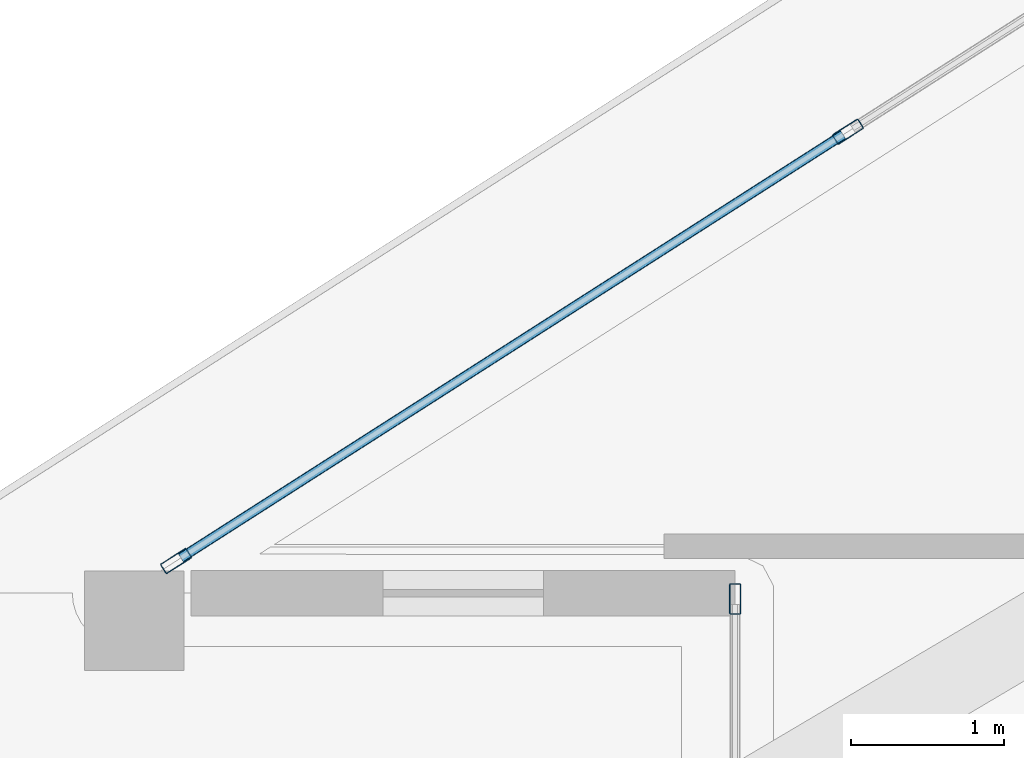
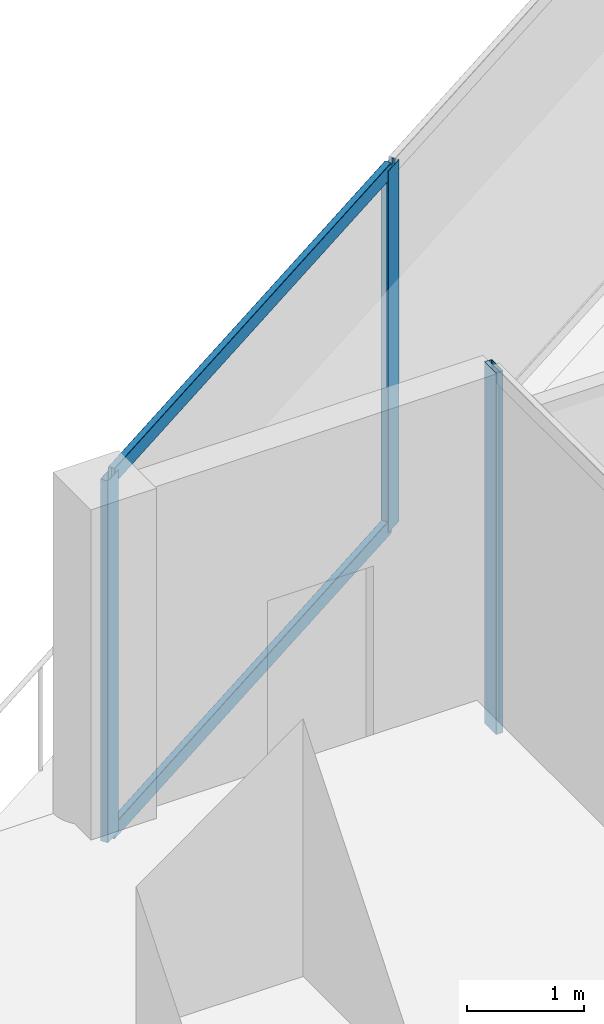
# One storey, part 15 of 36: 5 members, 2 elements without a shape of their own.
"""IFC4 building model written with IfcOpenShell, lengths in metres."""

from ifc_helpers import new_model, si_unit, direction, frame, origin, origin_2d, place, context, subcontext, project, spatial, hollow_rectangle, extrude, material, layer, layer_set, material_profile, profile_set, type_object, element, aggregate, save


model = new_model("IFC4")

# Units and contexts
model_context = context("Model", 3, precision=1e-05, world=origin(), true_north=direction((0.0, 1.0)))
body_context = subcontext(model_context, "Body", "Model", "MODEL_VIEW")
ifc_project = project(units=[si_unit("LENGTHUNIT", "METRE"), si_unit("AREAUNIT", "SQUARE_METRE"), si_unit("VOLUMEUNIT", "CUBIC_METRE"), si_unit("PLANEANGLEUNIT", "RADIAN"), si_unit("MASSUNIT", "GRAM", prefix="KILO")], contexts=[model_context])

# Site, building, storey
site_placement = place(None, origin())
site = spatial("IfcSite", under=ifc_project, at=site_placement, CompositionType="ELEMENT")
building_placement = place(site_placement, origin())
building = spatial("IfcBuilding", under=site, at=building_placement, Name="Qorvath Tower", CompositionType="ELEMENT")
storey_placement = place(building_placement, frame((0.0, 0.0, 229.35009765625)))
storey = spatial("IfcBuildingStorey", under=building, at=storey_placement, Name="L53", CompositionType="ELEMENT", Elevation=229.35009765625)

# Curtain wall, member
ifc_material_1 = material(Name="Anodised aluminium and triple low-E glass", Category="aluminium")
ifc_layer = layer(ifc_material_1, 0.179931640625)
ifc_layer_set = layer_set([ifc_layer], Name="CW-SYS-5")
curtain_wall_type = type_object("IfcCurtainWallType", Name="CW-SYS-5", PredefinedType="NOTDEFINED", material=ifc_layer_set)
curtain_wall_1_placement = place(storey_placement, origin())
curtain_wall_1 = element("IfcCurtainWall", 1, at=curtain_wall_1_placement, inside=storey, type_object=curtain_wall_type, Name="Curtain Wall CW-5 CW-T-L53-2.1", PredefinedType="NOTDEFINED")
ifc_material_2 = material(Name="Anodised aluminium 6063-T6", Category="aluminium")
ifc_material_profile_1 = material_profile(ifc_material_2, hollow_rectangle(XDim=0.074951171875, YDim=0.199951171875, WallThickness=0.00390625, InnerFilletRadius=0.00390625, OuterFilletRadius=0.008056640625, at=origin_2d()), Name="CWM 200x75")
ifc_profile_set_1 = profile_set([ifc_material_profile_1], Name="Anodised aluminium 6063-T6")
member_type_1 = type_object("IfcMemberType", Name="CWM-200", PredefinedType="MULLION", material=ifc_profile_set_1)
member_1_placement = place(storey_placement, frame((-44.64794921875, 6.56689453125, 0.0), z_axis=(0.0, 0.0, 1.0), x_axis=(1.0, 0.0, 0.0)))
member_1 = element("IfcMember", 2, at=member_1_placement, type_object=member_type_1, Name="CW-5 mullion 1", PredefinedType="MULLION", context=body_context, shape_type="SweptSolid", body=[
    extrude(hollow_rectangle(XDim=0.074951171875, YDim=0.199951171875, WallThickness=0.00390625, InnerFilletRadius=0.00390625, OuterFilletRadius=0.008056640625, at=origin_2d()), origin(), (0.0, 0.0, 1.0), 3.77978515625),
])
aggregate(curtain_wall_1, [member_1])

# Curtain wall, members
curtain_wall_2_placement = place(storey_placement, origin())
curtain_wall_2 = element("IfcCurtainWall", 3, at=curtain_wall_2_placement, inside=storey, type_object=curtain_wall_type, Name="Curtain Wall CW-5 CW-T-L53-18.1", PredefinedType="NOTDEFINED")
member_2_placement = place(storey_placement, frame((-43.910400390625, 9.623779296875, 0.0), z_axis=(0.0, 0.0, 1.0), x_axis=(0.538531098636, -0.842605634803, 0.0)))
member_2 = element("IfcMember", 4, at=member_2_placement, type_object=member_type_1, Name="CW-5 mullion 7", PredefinedType="MULLION", context=body_context, shape_type="SweptSolid", body=[
    extrude(hollow_rectangle(XDim=0.074951171875, YDim=0.199951171875, WallThickness=0.00390625, InnerFilletRadius=0.00390625, OuterFilletRadius=0.008056640625, at=origin_2d()), origin(), (0.0, 0.0, 1.0), 3.77978515625),
])
member_3_placement = place(storey_placement, frame((-48.305419921875, 6.81494140625, 0.0), z_axis=(0.0, 0.0, 1.0), x_axis=(0.538531098636, -0.842605634803, 0.0)))
member_3 = element("IfcMember", 5, at=member_3_placement, type_object=member_type_1, Name="CW-5 mullion 8", PredefinedType="MULLION", context=body_context, shape_type="SweptSolid", body=[
    extrude(hollow_rectangle(XDim=0.074951171875, YDim=0.199951171875, WallThickness=0.00390625, InnerFilletRadius=0.00390625, OuterFilletRadius=0.008056640625, at=origin_2d()), origin(), (0.0, 0.0, 1.0), 3.77978515625),
])
ifc_material_3 = material(Name="Anodised aluminium 6063-T6", Category="aluminium")
ifc_material_profile_2 = material_profile(ifc_material_3, hollow_rectangle(XDim=0.06494140625, YDim=0.159912109375, WallThickness=0.00341796875, InnerFilletRadius=0.00341796875, OuterFilletRadius=0.007080078125, at=origin_2d()), Name="CWT 160x65")
ifc_profile_set_2 = profile_set([ifc_material_profile_2], Name="Anodised aluminium 6063-T6")
member_type_2 = type_object("IfcMemberType", Name="CWT-160", PredefinedType="USERDEFINED", material=ifc_profile_set_2)
member_4_placement = place(storey_placement, frame((-43.94189453125, 9.603515625, 0.032470703125), z_axis=(-0.842627423944, -0.538497005022, 0.0), x_axis=(0.538497005022, -0.842627423944, 0.0)))
member_4 = element("IfcMember", 6, at=member_4_placement, type_object=member_type_2, Name="CW-5 transom 7.1", ObjectType="TRANSOM", PredefinedType="USERDEFINED", context=body_context, shape_type="SweptSolid", body=[
    extrude(hollow_rectangle(XDim=0.06494140625, YDim=0.159912109375, WallThickness=0.00341796875, InnerFilletRadius=0.00341796875, OuterFilletRadius=0.007080078125, at=origin_2d()), origin(), (0.0, 0.0, 1.0), 5.140869140625),
])
member_5_placement = place(storey_placement, frame((-43.94189453125, 9.603515625, 3.747314453125), z_axis=(-0.842627423944, -0.538497005022, 0.0), x_axis=(0.538497005022, -0.842627423944, 0.0)))
member_5 = element("IfcMember", 7, at=member_5_placement, type_object=member_type_2, Name="CW-5 transom 7.2", ObjectType="TRANSOM", PredefinedType="USERDEFINED", context=body_context, shape_type="SweptSolid", body=[
    extrude(hollow_rectangle(XDim=0.06494140625, YDim=0.159912109375, WallThickness=0.00341796875, InnerFilletRadius=0.00341796875, OuterFilletRadius=0.007080078125, at=origin_2d()), origin(), (0.0, 0.0, 1.0), 5.140869140625),
])
aggregate(curtain_wall_2, [member_2, member_3, member_4, member_5])

save(model, "model.ifc")
